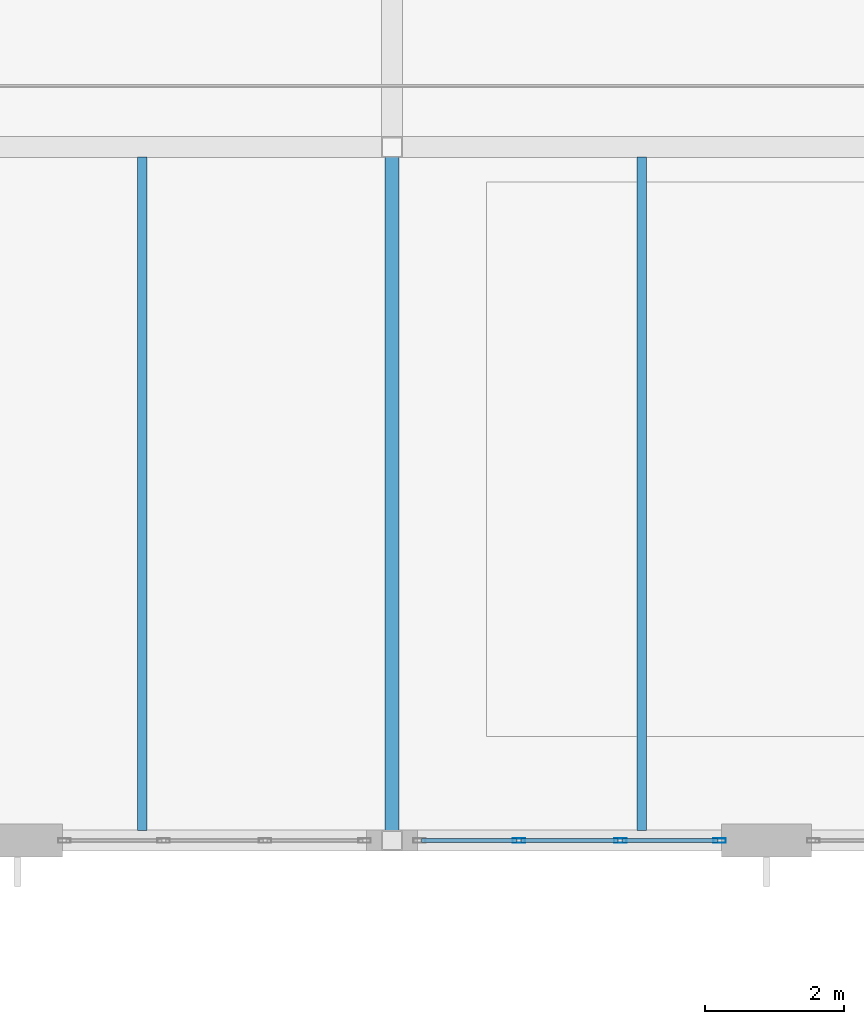
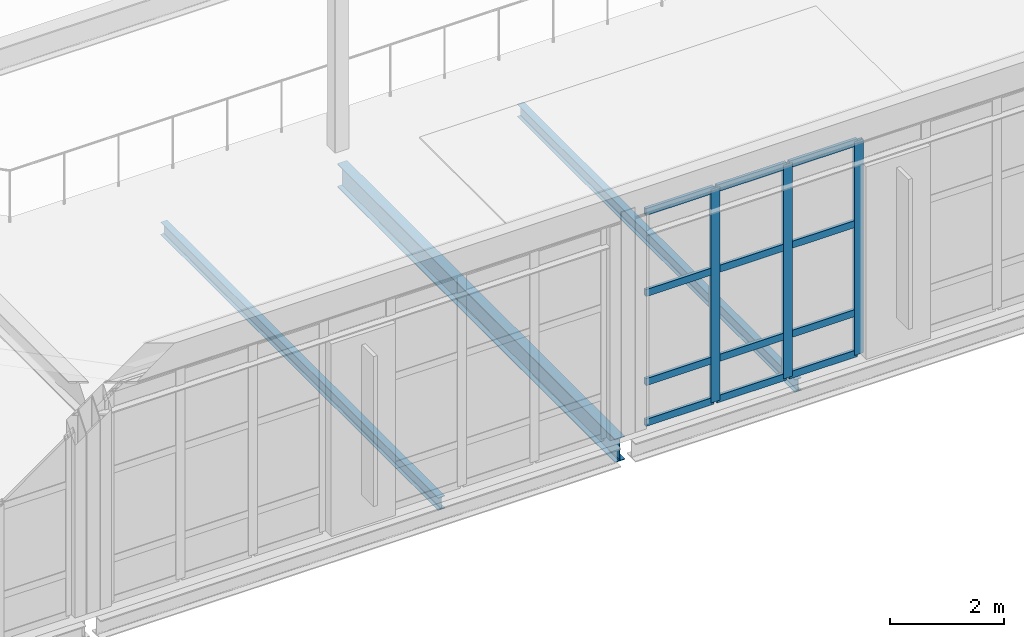
# One storey, part 25 of 86: 15 members, 3 beams, 1 element without a shape of its own.
"""IFC4 building model written with IfcOpenShell, lengths in metres."""

from ifc_helpers import new_model, si_unit, direction, frame, origin, origin_2d, place, context, subcontext, project, spatial, hollow_rectangle, i_section, extrude, material, layer, layer_set, material_profile, profile_set, type_object, element, aggregate, save


model = new_model("IFC4")

# Units and contexts
model_context = context("Model", 3, precision=1e-05, world=origin(), true_north=direction((0.0, 1.0)))
body_context = subcontext(model_context, "Body", "Model", "MODEL_VIEW")
ifc_project = project(units=[si_unit("LENGTHUNIT", "METRE"), si_unit("AREAUNIT", "SQUARE_METRE"), si_unit("VOLUMEUNIT", "CUBIC_METRE"), si_unit("PLANEANGLEUNIT", "RADIAN"), si_unit("MASSUNIT", "GRAM", prefix="KILO")], contexts=[model_context])

# Site, building, storey
site_placement = place(None, origin())
site = spatial("IfcSite", under=ifc_project, at=site_placement, CompositionType="ELEMENT")
building_placement = place(site_placement, origin())
building = spatial("IfcBuilding", under=site, at=building_placement, Name="Tasgan Crest Museum", CompositionType="ELEMENT")
storey_placement = place(building_placement, frame((0.0, 0.0, 24.0)))
storey = spatial("IfcBuildingStorey", under=building, at=storey_placement, Name="L04", CompositionType="ELEMENT", Elevation=24.0)

# Beams
ifc_material_1 = material(Name="Steel S355J2", Category="steel")
ifc_material_profile_1 = material_profile(ifc_material_1, i_section(OverallWidth=0.199951171875, OverallDepth=0.5, WebThickness=0.01025390625, FlangeThickness=0.01611328125, FilletRadius=0.02099609375, at=origin_2d()), Name="IPE 500")
ifc_profile_set_1 = profile_set([ifc_material_profile_1], Name="Steel S355J2")
beam_type_1 = type_object("IfcBeamType", Name="BM-G-IPE500", PredefinedType="BEAM", material=ifc_profile_set_1)
beam_placement = place(storey_placement, frame((75.60009765625, 40.14501953125, -0.489990234375), z_axis=(0.0, 1.0, 0.0), x_axis=(-1.0, 0.0, 0.0)))
element("IfcBeam", 1, at=beam_placement, inside=storey, type_object=beam_type_1, Name="Beam L04 8 40.0-50.0", PredefinedType="BEAM", context=body_context, shape_type="SweptSolid", body=[
    extrude(i_section(OverallWidth=0.199951171875, OverallDepth=0.5, WebThickness=0.01025390625, FlangeThickness=0.01611328125, FilletRadius=0.02099609375, at=origin_2d()), origin(), (0.0, 0.0, 1.0), 9.7099609375),
])
ifc_material_2 = material(Name="Steel S355J2", Category="steel")
ifc_material_profile_2 = material_profile(ifc_material_2, i_section(OverallWidth=0.135009765625, OverallDepth=0.27001953125, WebThickness=0.006591796875, FlangeThickness=0.01025390625, FilletRadius=0.014892578125, at=origin_2d()), Name="IPE 270")
ifc_profile_set_2 = profile_set([ifc_material_profile_2], Name="Steel S355J2")
beam_type_2 = type_object("IfcBeamType", Name="BM-J-IPE270", PredefinedType="JOIST", material=ifc_profile_set_2)
for number, where, z_axis, x_axis, name in (
    (2, (72.0, 40.14501953125, -0.375), (0.0, 1.0, 0.0), (-1.0, 0.0, 0.0), "Secondary joist L04 X=72.0 Y=40.0-50.0"),
    (3, (79.199951171875, 40.14501953125, -0.375), (0.0, 1.0, 0.0), (-1.0, 0.0, 0.0), "Secondary joist L04 X=79.2 Y=40.0-50.0"),
):
    element("IfcBeam", number, at=place(storey_placement, frame(where, z_axis=z_axis, x_axis=x_axis)), inside=storey, type_object=beam_type_2, Name=name, PredefinedType="JOIST", context=body_context, shape_type="SweptSolid", body=[
        extrude(i_section(OverallWidth=0.135009765625, OverallDepth=0.27001953125, WebThickness=0.006591796875, FlangeThickness=0.01025390625, FilletRadius=0.014892578125, at=origin_2d()), origin(), (0.0, 0.0, 1.0), 9.7099609375),
    ])

# Curtain wall, members
ifc_material_3 = material(Name="Triple-Glazed Aluminium Curtain Wall", Category="aluminium")
ifc_layer = layer(ifc_material_3, 0.179931640625, Name="CW-DRUM-X-48")
ifc_layer_set = layer_set([ifc_layer], Name="Triple-Glazed Aluminium Curtain Wall")
curtain_wall_type = type_object("IfcCurtainWallType", Name="CW-DRUM-X-48", PredefinedType="NOTDEFINED", material=ifc_layer_set)
curtain_wall_placement = place(storey_placement, origin())
curtain_wall = element("IfcCurtainWall", 4, at=curtain_wall_placement, inside=storey, type_object=curtain_wall_type, Name="Curtain wall L04 189", PredefinedType="NOTDEFINED")
ifc_material_4 = material(Name="Anodised Aluminium", Category="aluminium")
ifc_material_profile_3 = material_profile(ifc_material_4, hollow_rectangle(XDim=0.06494140625, YDim=0.179931640625, WallThickness=0.0048828125, at=origin_2d()), Name="ALU MULLION 180x65x5")
ifc_profile_set_3 = profile_set([ifc_material_profile_3], Name="Anodised Aluminium")
member_type_1 = type_object("IfcMemberType", Name="CW-MULLION-180", PredefinedType="MULLION", material=ifc_profile_set_3)
member_1_placement = place(storey_placement, frame((77.42822265625, 40.0, 0.0), z_axis=(0.0, 0.0, 1.0), x_axis=(0.0, 1.0, 0.0)))
member_1 = element("IfcMember", 5, at=member_1_placement, type_object=member_type_1, Name="CW03 mullion 2", PredefinedType="MULLION", context=body_context, shape_type="SweptSolid", body=[
    extrude(hollow_rectangle(XDim=0.06494140625, YDim=0.179931640625, WallThickness=0.0048828125, at=origin_2d()), origin(), (0.0, 0.0, 1.0), 4.56005859375),
])
member_2_placement = place(storey_placement, frame((78.8916015625, 40.0, 0.0), z_axis=(0.0, 0.0, 1.0), x_axis=(0.0, 1.0, 0.0)))
member_2 = element("IfcMember", 6, at=member_2_placement, type_object=member_type_1, Name="CW03 mullion 3", PredefinedType="MULLION", context=body_context, shape_type="SweptSolid", body=[
    extrude(hollow_rectangle(XDim=0.06494140625, YDim=0.179931640625, WallThickness=0.0048828125, at=origin_2d()), origin(), (0.0, 0.0, 1.0), 4.56005859375),
])
member_3_placement = place(storey_placement, frame((80.324951171875, 40.0, 0.0), z_axis=(0.0, 0.0, 1.0), x_axis=(0.0, 1.0, 0.0)))
member_3 = element("IfcMember", 7, at=member_3_placement, type_object=member_type_1, Name="CW03 mullion 4", PredefinedType="MULLION", context=body_context, shape_type="SweptSolid", body=[
    extrude(hollow_rectangle(XDim=0.06494140625, YDim=0.179931640625, WallThickness=0.0048828125, at=origin_2d()), origin(), (0.0, 0.0, 1.0), 4.56005859375),
])
ifc_material_5 = material(Name="Anodised Aluminium", Category="aluminium")
ifc_material_profile_4 = material_profile(ifc_material_5, hollow_rectangle(XDim=0.06005859375, YDim=0.14990234375, WallThickness=0.0048828125, at=origin_2d()), Name="ALU TRANSOM 150x60x5")
ifc_profile_set_4 = profile_set([ifc_material_profile_4], Name="Anodised Aluminium")
member_type_2 = type_object("IfcMemberType", Name="CW-TRANSOM-150", PredefinedType="USERDEFINED", material=ifc_profile_set_4)
member_4_placement = place(storey_placement, frame((76.02490234375, 40.0, 0.030029296875), z_axis=(1.0, 0.0, 0.0), x_axis=(0.0, 1.0, 0.0)))
member_4 = element("IfcMember", 8, at=member_4_placement, type_object=member_type_2, Name="CW03 transom 1.1", ObjectType="TRANSOM", PredefinedType="USERDEFINED", context=body_context, shape_type="SweptSolid", body=[
    extrude(hollow_rectangle(XDim=0.06005859375, YDim=0.14990234375, WallThickness=0.0048828125, at=origin_2d()), origin(), (0.0, 0.0, 1.0), 1.37353515625),
])
member_5_placement = place(storey_placement, frame((76.02490234375, 40.0, 0.89990234375), z_axis=(1.0, 0.0, 0.0), x_axis=(0.0, 1.0, 0.0)))
member_5 = element("IfcMember", 9, at=member_5_placement, type_object=member_type_2, Name="CW03 transom 1.2", ObjectType="TRANSOM", PredefinedType="USERDEFINED", context=body_context, shape_type="SweptSolid", body=[
    extrude(hollow_rectangle(XDim=0.06005859375, YDim=0.14990234375, WallThickness=0.0048828125, at=origin_2d()), origin(), (0.0, 0.0, 1.0), 1.37353515625),
])
member_6_placement = place(storey_placement, frame((76.02490234375, 40.0, 2.800048828125), z_axis=(1.0, 0.0, 0.0), x_axis=(0.0, 1.0, 0.0)))
member_6 = element("IfcMember", 10, at=member_6_placement, type_object=member_type_2, Name="CW03 transom 1.3", ObjectType="TRANSOM", PredefinedType="USERDEFINED", context=body_context, shape_type="SweptSolid", body=[
    extrude(hollow_rectangle(XDim=0.06005859375, YDim=0.14990234375, WallThickness=0.0048828125, at=origin_2d()), origin(), (0.0, 0.0, 1.0), 1.37353515625),
])
member_7_placement = place(storey_placement, frame((76.02490234375, 40.0, 4.530029296875), z_axis=(1.0, 0.0, 0.0), x_axis=(0.0, 1.0, 0.0)))
member_7 = element("IfcMember", 11, at=member_7_placement, type_object=member_type_2, Name="CW03 transom 1.4", ObjectType="TRANSOM", PredefinedType="USERDEFINED", context=body_context, shape_type="SweptSolid", body=[
    extrude(hollow_rectangle(XDim=0.06005859375, YDim=0.14990234375, WallThickness=0.0048828125, at=origin_2d()), origin(), (0.0, 0.0, 1.0), 1.37353515625),
])
member_8_placement = place(storey_placement, frame((77.458251953125, 40.0, 0.030029296875), z_axis=(1.0, 0.0, 0.0), x_axis=(0.0, 1.0, 0.0)))
member_8 = element("IfcMember", 12, at=member_8_placement, type_object=member_type_2, Name="CW03 transom 2.1", ObjectType="TRANSOM", PredefinedType="USERDEFINED", context=body_context, shape_type="SweptSolid", body=[
    extrude(hollow_rectangle(XDim=0.06005859375, YDim=0.14990234375, WallThickness=0.0048828125, at=origin_2d()), origin(), (0.0, 0.0, 1.0), 1.4033203125),
])
member_9_placement = place(storey_placement, frame((77.458251953125, 40.0, 0.89990234375), z_axis=(1.0, 0.0, 0.0), x_axis=(0.0, 1.0, 0.0)))
member_9 = element("IfcMember", 13, at=member_9_placement, type_object=member_type_2, Name="CW03 transom 2.2", ObjectType="TRANSOM", PredefinedType="USERDEFINED", context=body_context, shape_type="SweptSolid", body=[
    extrude(hollow_rectangle(XDim=0.06005859375, YDim=0.14990234375, WallThickness=0.0048828125, at=origin_2d()), origin(), (0.0, 0.0, 1.0), 1.4033203125),
])
member_10_placement = place(storey_placement, frame((77.458251953125, 40.0, 2.800048828125), z_axis=(1.0, 0.0, 0.0), x_axis=(0.0, 1.0, 0.0)))
member_10 = element("IfcMember", 14, at=member_10_placement, type_object=member_type_2, Name="CW03 transom 2.3", ObjectType="TRANSOM", PredefinedType="USERDEFINED", context=body_context, shape_type="SweptSolid", body=[
    extrude(hollow_rectangle(XDim=0.06005859375, YDim=0.14990234375, WallThickness=0.0048828125, at=origin_2d()), origin(), (0.0, 0.0, 1.0), 1.4033203125),
])
member_11_placement = place(storey_placement, frame((77.458251953125, 40.0, 4.530029296875), z_axis=(1.0, 0.0, 0.0), x_axis=(0.0, 1.0, 0.0)))
member_11 = element("IfcMember", 15, at=member_11_placement, type_object=member_type_2, Name="CW03 transom 2.4", ObjectType="TRANSOM", PredefinedType="USERDEFINED", context=body_context, shape_type="SweptSolid", body=[
    extrude(hollow_rectangle(XDim=0.06005859375, YDim=0.14990234375, WallThickness=0.0048828125, at=origin_2d()), origin(), (0.0, 0.0, 1.0), 1.4033203125),
])
member_12_placement = place(storey_placement, frame((78.921630859375, 40.0, 0.030029296875), z_axis=(1.0, 0.0, 0.0), x_axis=(0.0, 1.0, 0.0)))
member_12 = element("IfcMember", 16, at=member_12_placement, type_object=member_type_2, Name="CW03 transom 3.1", ObjectType="TRANSOM", PredefinedType="USERDEFINED", context=body_context, shape_type="SweptSolid", body=[
    extrude(hollow_rectangle(XDim=0.06005859375, YDim=0.14990234375, WallThickness=0.0048828125, at=origin_2d()), origin(), (0.0, 0.0, 1.0), 1.373291015625),
])
member_13_placement = place(storey_placement, frame((78.921630859375, 40.0, 0.89990234375), z_axis=(1.0, 0.0, 0.0), x_axis=(0.0, 1.0, 0.0)))
member_13 = element("IfcMember", 17, at=member_13_placement, type_object=member_type_2, Name="CW03 transom 3.2", ObjectType="TRANSOM", PredefinedType="USERDEFINED", context=body_context, shape_type="SweptSolid", body=[
    extrude(hollow_rectangle(XDim=0.06005859375, YDim=0.14990234375, WallThickness=0.0048828125, at=origin_2d()), origin(), (0.0, 0.0, 1.0), 1.373291015625),
])
member_14_placement = place(storey_placement, frame((78.921630859375, 40.0, 2.800048828125), z_axis=(1.0, 0.0, 0.0), x_axis=(0.0, 1.0, 0.0)))
member_14 = element("IfcMember", 18, at=member_14_placement, type_object=member_type_2, Name="CW03 transom 3.3", ObjectType="TRANSOM", PredefinedType="USERDEFINED", context=body_context, shape_type="SweptSolid", body=[
    extrude(hollow_rectangle(XDim=0.06005859375, YDim=0.14990234375, WallThickness=0.0048828125, at=origin_2d()), origin(), (0.0, 0.0, 1.0), 1.373291015625),
])
member_15_placement = place(storey_placement, frame((78.921630859375, 40.0, 4.530029296875), z_axis=(1.0, 0.0, 0.0), x_axis=(0.0, 1.0, 0.0)))
member_15 = element("IfcMember", 19, at=member_15_placement, type_object=member_type_2, Name="CW03 transom 3.4", ObjectType="TRANSOM", PredefinedType="USERDEFINED", context=body_context, shape_type="SweptSolid", body=[
    extrude(hollow_rectangle(XDim=0.06005859375, YDim=0.14990234375, WallThickness=0.0048828125, at=origin_2d()), origin(), (0.0, 0.0, 1.0), 1.373291015625),
])
aggregate(curtain_wall, [member_1, member_2, member_3, member_4, member_5, member_6, member_7, member_8, member_9, member_10, member_11, member_12, member_13, member_14, member_15])

save(model, "model.ifc")
